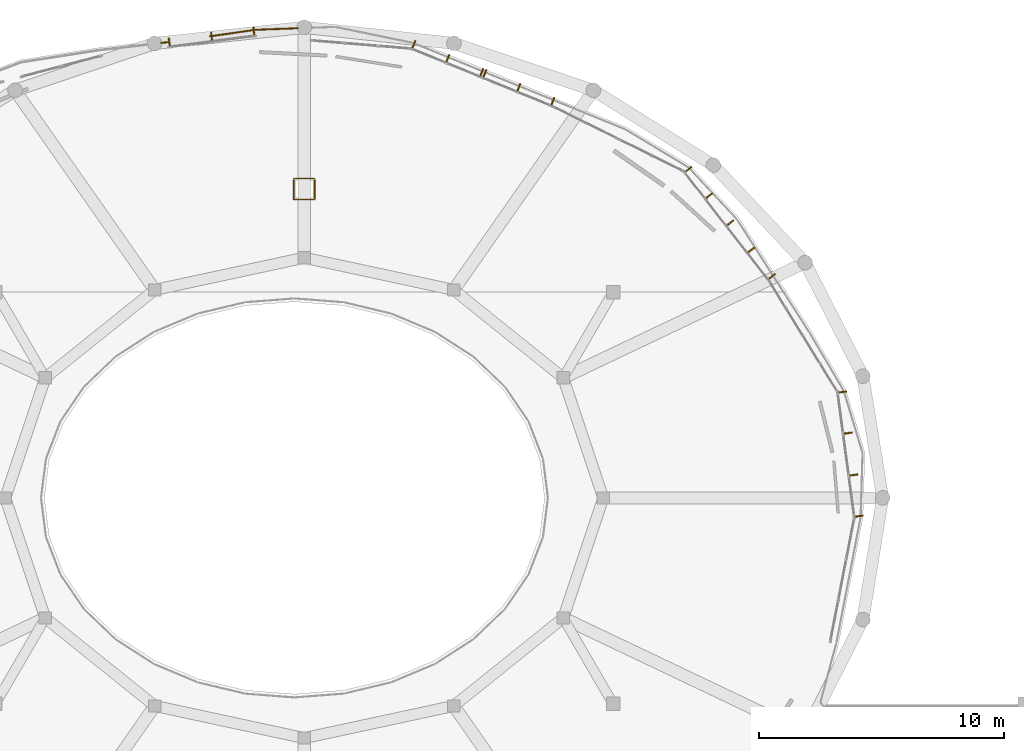
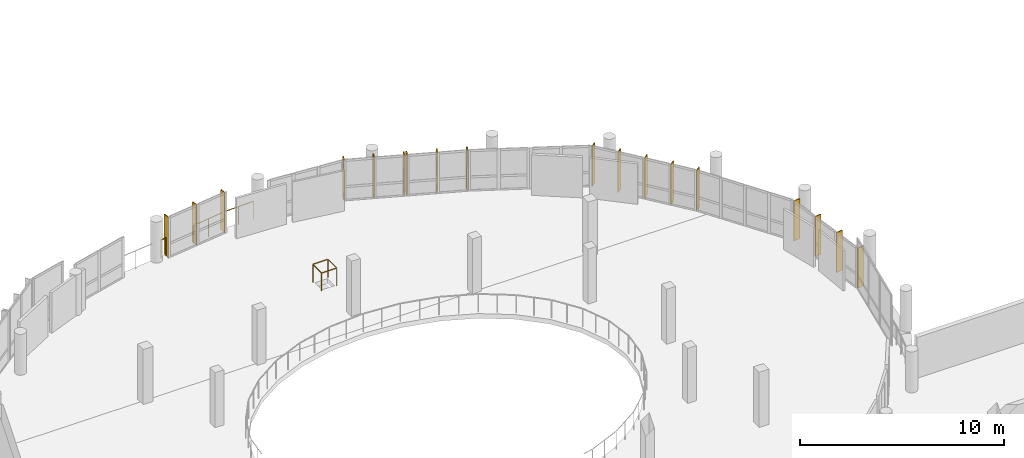
# One storey, part 39 of 43: 18 shading devices, 3 railings.
"""IFC4 building model written with IfcOpenShell, lengths in metres."""

from ifc_helpers import new_model, si_unit, derived_unit, direction, frame, origin, origin_2d, place, context, subcontext, project, spatial, rectangle, circle, extrude, material, type_object, element, save


model = new_model("IFC4")

# Units and contexts
model_context = context("Model", 3, precision=1e-05, world=origin(), true_north=direction((0.0, 1.0)))
body_context = subcontext(model_context, "Body", "Model", "MODEL_VIEW")
ifc_project = project(units=[si_unit("LENGTHUNIT", "METRE"), si_unit("AREAUNIT", "SQUARE_METRE"), si_unit("VOLUMEUNIT", "CUBIC_METRE"), si_unit("PLANEANGLEUNIT", "RADIAN"), si_unit("MASSUNIT", "GRAM", prefix="KILO"), derived_unit("THERMALTRANSMITTANCEUNIT", [(si_unit("POWERUNIT", "WATT"), 1), (si_unit("LENGTHUNIT", "METRE"), -2), (si_unit("THERMODYNAMICTEMPERATUREUNIT", "KELVIN"), -1)])], contexts=[model_context])

# Site, building, storey
site_placement = place(None, origin())
site = spatial("IfcSite", under=ifc_project, at=site_placement, CompositionType="ELEMENT")
building_placement = place(site_placement, origin())
building = spatial("IfcBuilding", under=site, at=building_placement, Name="Elbkamm Science Centre", CompositionType="ELEMENT")
storey_placement = place(building_placement, frame((0.0, 0.0, 18.300048828125)))
storey = spatial("IfcBuildingStorey", under=building, at=storey_placement, Name="L04", CompositionType="ELEMENT", Elevation=18.300048828125)

# Railings
ifc_material_1 = material(Name="Stainless steel EN 1.4401", Category="steel")
railing_type_1 = type_object("IfcRailingType", Name="RAIL-EXT-GUARD-1100", PredefinedType="GUARDRAIL", material=ifc_material_1)
railing_1_placement = place(storey_placement, frame((57.15771484375, 85.76318359375, 0.0)))
element("IfcRailing", 1, at=railing_1_placement, inside=storey, type_object=railing_type_1, Name="L04 Slab Edge Perimeter Guard 098", PredefinedType="GUARDRAIL", context=body_context, shape_type="SweptSolid", body=[
    extrude(circle(Radius=0.02392578125, at=origin_2d()), frame((0.0, 0.0, 1.078125), z_axis=(0.993519857053, 0.113658671647, 0.0), x_axis=(-0.113658671647, 0.993519857053, 0.0)), (0.0, 0.0, 1.0), 0.30712890625),
    extrude(circle(Radius=0.02001953125, at=origin_2d()), origin(), (0.0, 0.0, 1.0), 1.048095703125),
    extrude(circle(Radius=0.02001953125, at=origin_2d()), frame((0.30517578125, 0.034912109375, 0.0)), (0.0, 0.0, 1.0), 1.048095703125),
])
railing_2_placement = place(storey_placement, frame((59.15185546875, 86.031982421875, 0.0)))
element("IfcRailing", 2, at=railing_2_placement, inside=storey, type_object=railing_type_1, Name="L04 Slab Edge Perimeter Guard 099", PredefinedType="GUARDRAIL", context=body_context, shape_type="SweptSolid", body=[
    extrude(circle(Radius=0.02392578125, at=origin_2d()), frame((0.0, 0.0, 1.078125), z_axis=(0.989724470102, 0.142987668285, 0.0), x_axis=(-0.142987668285, 0.989724470102, 0.0)), (0.0, 0.0, 1.0), 1.846435546875),
    extrude(circle(Radius=0.02392578125, at=origin_2d()), frame((1.88720703125, 0.269287109375, 1.078125), z_axis=(0.99933180527, 0.036550553694, 0.0), x_axis=(-0.036550553694, 0.99933180527, 0.0)), (0.0, 0.0, 1.0), 1.693359375),
    extrude(circle(Radius=0.02001953125, at=origin_2d()), origin(), (0.0, 0.0, 1.0), 1.048095703125),
    extrude(circle(Radius=0.02001953125, at=origin_2d()), frame((0.9287109375, 0.13427734375, 0.0)), (0.0, 0.0, 1.0), 1.048095703125),
    extrude(circle(Radius=0.02001953125, at=origin_2d()), frame((1.857177734375, 0.268310546875, 0.0)), (0.0, 0.0, 1.0), 1.048095703125),
    extrude(circle(Radius=0.02001953125, at=origin_2d()), frame((2.71826171875, 0.2998046875, 0.0)), (0.0, 0.0, 1.0), 1.048095703125),
    extrude(circle(Radius=0.02001953125, at=origin_2d()), frame((3.579345703125, 0.331298828125, 0.0)), (0.0, 0.0, 1.0), 1.048095703125),
])
railing_type_2 = type_object("IfcRailingType", Name="RAIL-GUARD-1100", PredefinedType="GUARDRAIL", material=ifc_material_1)
railing_3_placement = place(storey_placement, frame((62.570068359375, 79.3701171875, 0.0)))
element("IfcRailing", 3, at=railing_3_placement, inside=storey, type_object=railing_type_2, Name="L04 Service Riser Opening Guardrail 024", PredefinedType="GUARDRAIL", context=body_context, shape_type="SweptSolid", body=[
    extrude(circle(Radius=0.02392578125, at=origin_2d()), frame((0.0, 0.0, 1.078125), z_axis=(1.0, 0.0, 0.0), x_axis=(0.0, 1.0, 0.0)), (0.0, 0.0, 1.0), 0.829833984375),
    extrude(circle(Radius=0.02392578125, at=origin_2d()), frame((0.85986328125, 0.030029296875, 1.078125), z_axis=(0.0, 1.0, 0.0), x_axis=(-1.0, 0.0, 0.0)), (0.0, 0.0, 1.0), 0.7998046875),
    extrude(circle(Radius=0.02392578125, at=origin_2d()), frame((0.829833984375, 0.85986328125, 1.078125), z_axis=(-1.0, 0.0, 0.0), x_axis=(0.0, -1.0, 0.0)), (0.0, 0.0, 1.0), 0.7998046875),
    extrude(circle(Radius=0.02392578125, at=origin_2d()), frame((0.0, 0.829833984375, 1.078125), z_axis=(0.0, -1.0, 0.0), x_axis=(1.0, 0.0, 0.0)), (0.0, 0.0, 1.0), 0.829833984375),
    extrude(circle(Radius=0.02001953125, at=origin_2d()), origin(), (0.0, 0.0, 1.0), 1.048095703125),
    extrude(circle(Radius=0.02001953125, at=origin_2d()), frame((0.85986328125, 0.0, 0.0)), (0.0, 0.0, 1.0), 1.048095703125),
    extrude(circle(Radius=0.02001953125, at=origin_2d()), frame((0.85986328125, 0.85986328125, 0.0)), (0.0, 0.0, 1.0), 1.048095703125),
    extrude(circle(Radius=0.02001953125, at=origin_2d()), frame((0.0, 0.85986328125, 0.0)), (0.0, 0.0, 1.0), 1.048095703125),
])

# Shading devices
ifc_material_2 = material(Name="Terracotta-ochre powder-coated aluminium EN AW-6060", Category="masonry")
shading_device_type = type_object("IfcShadingDeviceType", Name="SHD-LOUVRE-350", PredefinedType="USERDEFINED", material=ifc_material_2)
for number, where, z_axis, x_axis, name in (
    (4, (85.639404296875, 66.45556640625, 0.0), (0.0, 0.0, 1.0), (0.991152874193, 0.132725204762, 0.0), "L04 Brise-Soleil Sunshade Fin 0122"),
    (5, (85.41455078125, 68.13427734375, 0.0), (0.0, 0.0, 1.0), (0.991152874193, 0.132725204762, 0.0), "L04 Brise-Soleil Sunshade Fin 0123"),
    (6, (85.185791015625, 69.842529296875, 0.0), (0.0, 0.0, 1.0), (0.991152874193, 0.132725204762, 0.0), "L04 Brise-Soleil Sunshade Fin 0124"),
    (7, (84.9609375, 71.521240234375, 0.0), (0.0, 0.0, 1.0), (0.991152874193, 0.132725204762, 0.0), "L04 Brise-Soleil Sunshade Fin 0125"),
    (8, (82.08154296875, 76.23681640625, 0.0), (0.0, 0.0, 1.0), (0.788678648027, 0.614805652338, 0.0), "L04 Brise-Soleil Sunshade Fin 0126"),
    (9, (81.239501953125, 77.3173828125, 0.0), (0.0, 0.0, 1.0), (0.788678648027, 0.614805652338, 0.0), "L04 Brise-Soleil Sunshade Fin 0127"),
    (10, (80.37890625, 78.42138671875, 0.0), (0.0, 0.0, 1.0), (0.788678648027, 0.614805652338, 0.0), "L04 Brise-Soleil Sunshade Fin 0128"),
    (11, (79.51806640625, 79.525390625, 0.0), (0.0, 0.0, 1.0), (0.788678648027, 0.614805652338, 0.0), "L04 Brise-Soleil Sunshade Fin 0129"),
    (12, (78.67578125, 80.605712890625, 0.0), (0.0, 0.0, 1.0), (0.788678648027, 0.614805652338, 0.0), "L04 Brise-Soleil Sunshade Fin 0130"),
    (13, (73.139404296875, 83.38134765625, 0.0), (0.0, 0.0, 1.0), (0.37800076013, 0.925805284788, 0.0), "L04 Brise-Soleil Sunshade Fin 0131"),
    (14, (71.754150390625, 83.94677734375, 0.0), (0.0, 0.0, 1.0), (0.37800076013, 0.925805284788, 0.0), "L04 Brise-Soleil Sunshade Fin 0132"),
    (15, (70.368896484375, 84.512451171875, 0.0), (0.0, 0.0, 1.0), (0.37800076013, 0.925805284788, 0.0), "L04 Brise-Soleil Sunshade Fin 0133"),
    (16, (70.2392578125, 84.5654296875, 0.0), (0.0, 0.0, 1.0), (0.37800076013, 0.925805284788, 0.0), "L04 Brise-Soleil Sunshade Fin 0134"),
    (17, (68.854248046875, 85.130859375, 0.0), (0.0, 0.0, 1.0), (0.37800076013, 0.925805284788, 0.0), "L04 Brise-Soleil Sunshade Fin 0135"),
    (18, (67.468994140625, 85.696533203125, 0.0), (0.0, 0.0, 1.0), (0.37800076013, 0.925805284788, 0.0), "L04 Brise-Soleil Sunshade Fin 0136"),
    (19, (60.945068359375, 86.239501953125, 0.0), (0.0, 0.0, 1.0), (-0.128748865032, 0.991677230632, 0.0), "L04 Brise-Soleil Sunshade Fin 0137"),
    (20, (59.22021484375, 86.015625, 0.0), (0.0, 0.0, 1.0), (-0.128748865032, 0.991677230632, 0.0), "L04 Brise-Soleil Sunshade Fin 0138"),
    (21, (57.495361328125, 85.79150390625, 0.0), (0.0, 0.0, 1.0), (-0.128748865032, 0.991677230632, 0.0), "L04 Brise-Soleil Sunshade Fin 0139"),
):
    element("IfcShadingDevice", number, at=place(storey_placement, frame(where, z_axis=z_axis, x_axis=x_axis)), inside=storey, type_object=shading_device_type, Name=name, ObjectType="LOUVRE", PredefinedType="USERDEFINED", context=body_context, shape_type="SweptSolid", body=[
        extrude(rectangle(XDim=0.35009765625, YDim=0.050048828125, at=origin_2d()), origin(), (0.0, 0.0, 1.0), 2.39990234375),
    ])

save(model, "model.ifc")
